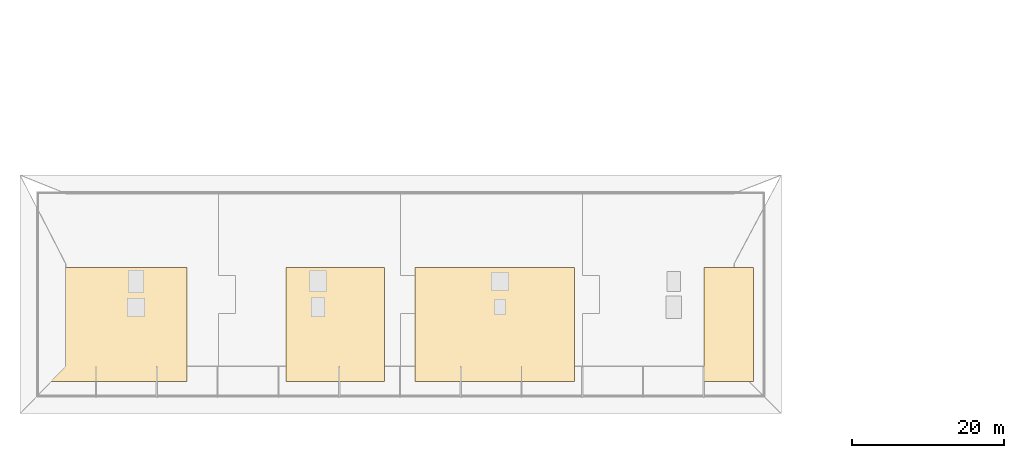
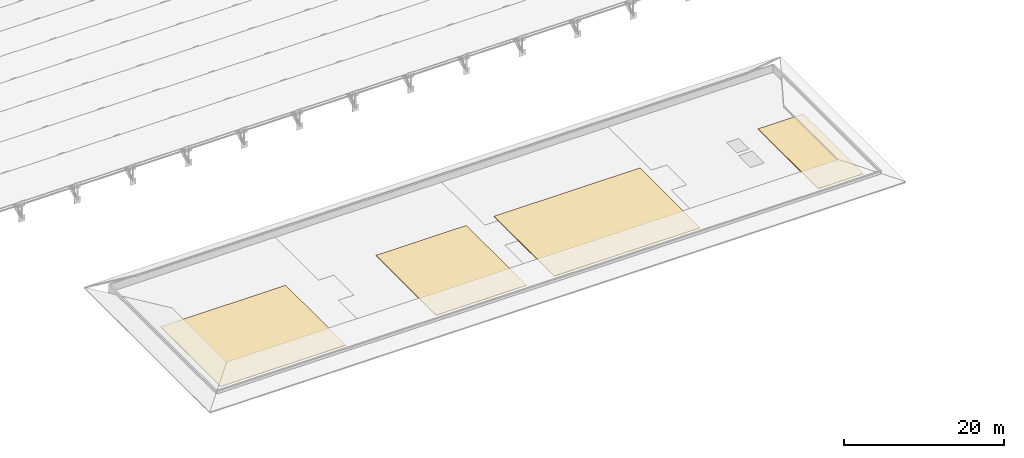
# One storey, part 98 of 98: 4 coverings.
"""IFC4 building model written with IfcOpenShell, lengths in metres."""

from ifc_helpers import new_model, si_unit, direction, frame, origin, place, context, subcontext, project, spatial, polyline, outline, extrude, material, layer, layer_set, type_object, element, save


model = new_model("IFC4")

# Units and contexts
model_context = context("Model", 3, precision=1e-05, world=origin(), true_north=direction((0.0, 1.0)))
body_context = subcontext(model_context, "Body", "Model", "MODEL_VIEW")
ifc_project = project(units=[si_unit("LENGTHUNIT", "METRE"), si_unit("AREAUNIT", "SQUARE_METRE"), si_unit("VOLUMEUNIT", "CUBIC_METRE"), si_unit("PLANEANGLEUNIT", "RADIAN"), si_unit("MASSUNIT", "GRAM", prefix="KILO")], contexts=[model_context])

# Site, building, storey
site_placement = place(None, origin())
site = spatial("IfcSite", under=ifc_project, at=site_placement, CompositionType="ELEMENT")
building_placement = place(site_placement, origin())
building = spatial("IfcBuilding", under=site, at=building_placement, Name="Tlacozan Convention Centre", CompositionType="ELEMENT")
storey_placement = place(building_placement, frame((0.0, 0.0, 25.800048828125)))
storey = spatial("IfcBuildingStorey", under=building, at=storey_placement, Name="Roof", CompositionType="ELEMENT", Elevation=25.800048828125)

# Coverings
ifc_material = material(Name="Standing-Seam Zinc-Bronze Roof Membrane")
ifc_layer = layer(ifc_material, 0.090087890625)
ifc_layer_set = layer_set([ifc_layer], Name="Standing-Seam Zinc-Bronze Roof Membrane")
covering_type = type_object("IfcCoveringType", Name="Standing-Seam Insulated Roofing Membrane 90", PredefinedType="ROOFING", material=ifc_layer_set)
covering_1_placement = place(storey_placement, origin())
element("IfcCovering", 1, at=covering_1_placement, inside=storey, type_object=covering_type, Name="Roof Insulated Roof Membrane 3", PredefinedType="ROOFING", context=body_context, shape_type="SweptSolid", body=[
    extrude(outline(polyline([(2.0, 2.0), (20.0, 2.0), (20.0, 17.0), (2.0, 17.0), (2.0, 2.0)])), origin(), (0.0, 0.0, 1.0), 0.08984375),
])
covering_2_placement = place(storey_placement, origin())
element("IfcCovering", 2, at=covering_2_placement, inside=storey, type_object=covering_type, Name="Roof Insulated Roof Membrane 4", PredefinedType="ROOFING", context=body_context, shape_type="SweptSolid", body=[
    extrude(outline(polyline([(33.0, 2.0), (46.0, 2.0), (46.0, 17.0), (33.0, 17.0), (33.0, 2.0)])), origin(), (0.0, 0.0, 1.0), 0.08984375),
])
covering_3_placement = place(storey_placement, origin())
element("IfcCovering", 3, at=covering_3_placement, inside=storey, type_object=covering_type, Name="Roof Insulated Roof Membrane 5", PredefinedType="ROOFING", context=body_context, shape_type="SweptSolid", body=[
    extrude(outline(polyline([(50.0, 2.0), (71.0, 2.0), (71.0, 17.0), (50.0, 17.0), (50.0, 2.0)])), origin(), (0.0, 0.0, 1.0), 0.08984375),
])
covering_4_placement = place(storey_placement, origin())
element("IfcCovering", 4, at=covering_4_placement, inside=storey, type_object=covering_type, Name="Roof Insulated Roof Membrane 6", PredefinedType="ROOFING", context=body_context, shape_type="SweptSolid", body=[
    extrude(outline(polyline([(88.0, 2.0), (94.5, 2.0), (94.5, 17.0), (88.0, 17.0), (88.0, 2.0)])), origin(), (0.0, 0.0, 1.0), 0.08984375),
])

save(model, "model.ifc")
